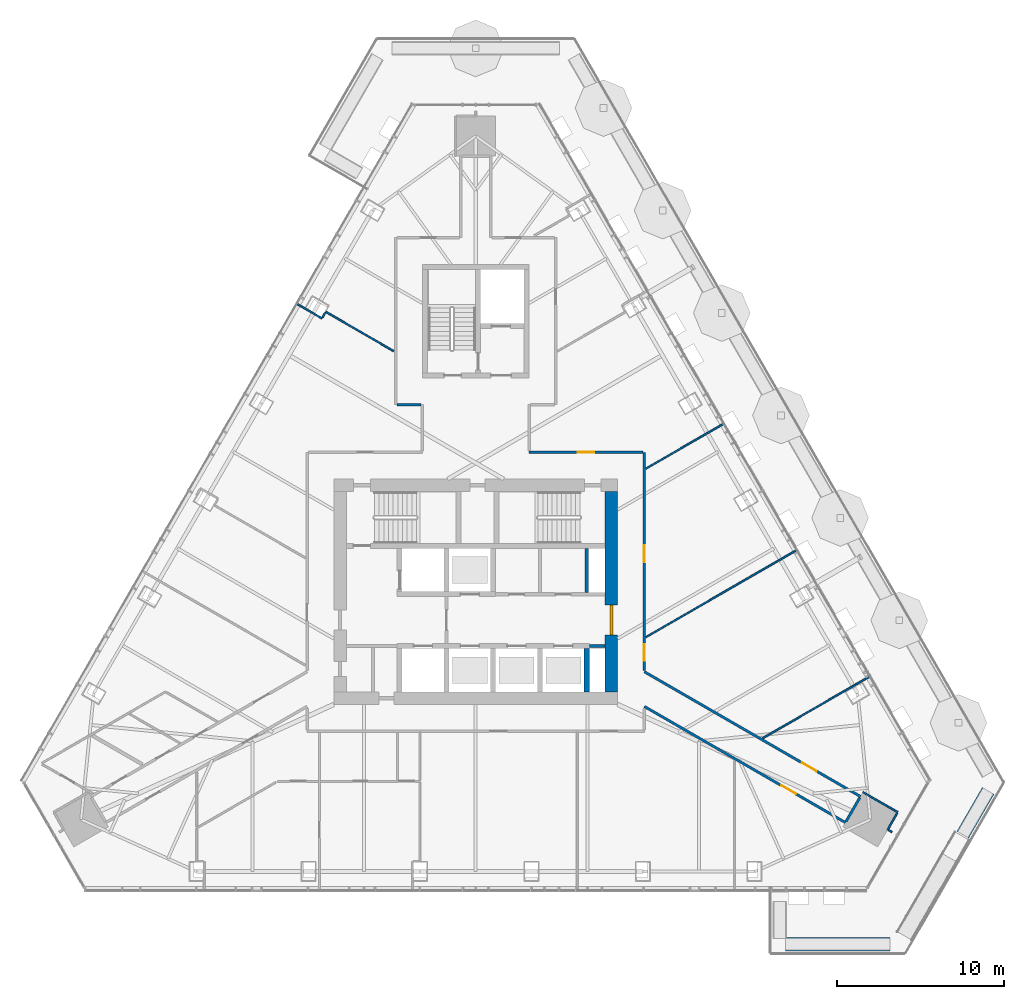
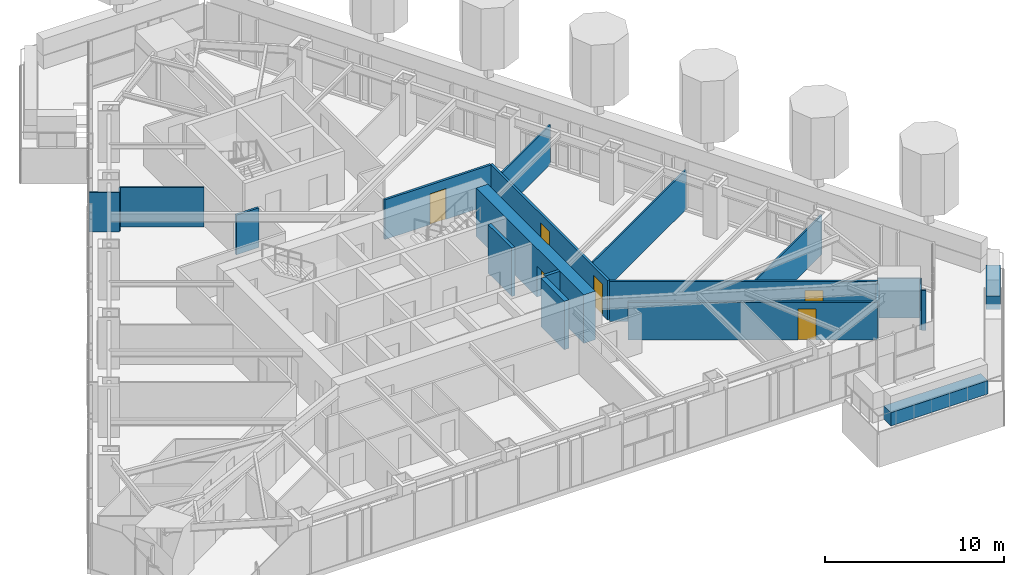
# One storey, part 19 of 24: 21 walls, 6 doors, 6 openings.
"""IFC4 building model written with IfcOpenShell, lengths in metres."""

from ifc_helpers import new_model, si_unit, direction, frame, frame_2d, origin, place, context, subcontext, project, spatial, rectangle, extrude, material, layer, layer_set, type_object, element, fill, save


model = new_model("IFC4")

# Units and contexts
model_context = context("Model", 3, precision=1e-05, world=origin(), true_north=direction((0.0, 1.0)))
body_context = subcontext(model_context, "Body", "Model", "MODEL_VIEW")
ifc_project = project(units=[si_unit("LENGTHUNIT", "METRE"), si_unit("AREAUNIT", "SQUARE_METRE"), si_unit("VOLUMEUNIT", "CUBIC_METRE"), si_unit("PLANEANGLEUNIT", "RADIAN"), si_unit("MASSUNIT", "GRAM", prefix="KILO")], contexts=[model_context])

# Site, building, storey
site_placement = place(None, origin())
site = spatial("IfcSite", under=ifc_project, at=site_placement, CompositionType="ELEMENT")
building_placement = place(site_placement, origin())
building = spatial("IfcBuilding", under=site, at=building_placement, Name="Firuza Gate Tower and Library", CompositionType="ELEMENT")
storey_placement = place(building_placement, frame((0.0, 0.0, 267.10009765625)))
storey = spatial("IfcBuildingStorey", under=building, at=storey_placement, Name="L63", CompositionType="ELEMENT", Elevation=267.10009765625)

# Walls
ifc_material_1 = material(Name="Plasterboard on steel studs", Category="steel")
ifc_layer_1 = layer(ifc_material_1, 0.199951171875)
ifc_layer_set_1 = layer_set([ifc_layer_1], Name="Core partition 200 EI 120")
wall_type_1 = type_object("IfcWallType", Name="Core partition 200 EI 120", PredefinedType="PARTITIONING", material=ifc_layer_set_1)
wall_1_placement = place(storey_placement, frame((81.800048828125, 71.75, 0.0), z_axis=(0.0, 0.0, 1.0), x_axis=(1.0, 0.0, 0.0)))
element("IfcWall", 1, at=wall_1_placement, inside=storey, type_object=wall_type_1, Name="Core partition L63 2", PredefinedType="PARTITIONING", context=body_context, shape_type="SweptSolid", body=[
    extrude(rectangle(XDim=0.949951171875, YDim=0.199951171875, at=frame_2d((0.47509765625, 0.0))), origin(), (0.0, 0.0, 1.0), 3.2998046875),
])
wall_2_placement = place(storey_placement, frame((81.64990234375, 74.949951171875, 0.0), z_axis=(0.0, 0.0, 1.0), x_axis=(0.0, 1.0, 0.0)))
element("IfcWall", 2, at=wall_2_placement, inside=storey, type_object=wall_type_1, Name="Core partition L63 7", PredefinedType="PARTITIONING", context=body_context, shape_type="SweptSolid", body=[
    extrude(rectangle(XDim=2.650146484375, YDim=0.199951171875, at=frame_2d((1.3251953125, 0.0))), origin(), (0.0, 0.0, 1.0), 3.2998046875),
])
ifc_material_2 = material(Name="Concrete C60/75", Category="concrete")
ifc_layer_2 = layer(ifc_material_2, 0.300048828125)
ifc_layer_set_2 = layer_set([ifc_layer_2], Name="Core wall 300 C60/75")
wall_type_2 = type_object("IfcWallType", Name="Core wall 300 C60/75", PredefinedType="SHEAR", material=ifc_layer_set_2)
wall_3_placement = place(storey_placement, frame((81.64990234375, 69.0, 0.0), z_axis=(0.0, 0.0, 1.0), x_axis=(0.0, 1.0, 0.0)))
element("IfcWall", 3, at=wall_3_placement, inside=storey, type_object=wall_type_2, Name="Core wall L63 14", PredefinedType="SHEAR", context=body_context, shape_type="SweptSolid", body=[
    extrude(rectangle(XDim=2.60009765625, YDim=0.300048828125, at=frame_2d((1.300048828125, 0.0))), origin(), (0.0, 0.0, 1.0), 3.2998046875),
])

# Wall, opening, door
ifc_material_3 = material(Name="Concrete C60/75", Category="concrete")
ifc_layer_3 = layer(ifc_material_3, 0.75)
ifc_layer_set_3 = layer_set([ifc_layer_3], Name="Core wall 750 C60/75")
wall_type_3 = type_object("IfcWallType", Name="Core wall 750 C60/75", PredefinedType="SHEAR", material=ifc_layer_set_3)
wall_4_placement = place(storey_placement, frame((83.125, 69.0, 0.0), z_axis=(0.0, 0.0, 1.0), x_axis=(0.0, 1.0, 0.0)))
wall_4 = element("IfcWall", 4, at=wall_4_placement, inside=storey, type_object=wall_type_3, Name="Core wall L63 4", PredefinedType="SHEAR", context=body_context, shape_type="SweptSolid", body=[
    extrude(rectangle(XDim=12.0, YDim=0.75, at=frame_2d((6.0, 0.0))), origin(), (0.0, 0.0, 1.0), 3.2998046875),
])
opening_1_placement = place(wall_4_placement, frame((3.39990234375, 0.0, 0.0)))
opening_1 = element("IfcOpeningElement", 5, at=opening_1_placement, cuts=wall_4, Name="Opening L63-K16", PredefinedType="OPENING", context=body_context, shape_type="SweptSolid", body=[
    extrude(rectangle(XDim=1.800048828125, YDim=2.10009765625, at=frame_2d((0.89990234375, 1.050048828125))), frame((0.0, 0.385009765625, 0.0), z_axis=(0.0, -1.0, 0.0), x_axis=(1.0, 0.0, 0.0)), (0.0, 0.0, 1.0), 0.77001953125),
])
ifc_material_4 = material(Name="Steel", Category="steel")
door_type_1 = type_object("IfcDoorType", Name="Fire door 1800x2100 FD30S", OperationType="NOTDEFINED", PredefinedType="DOOR", material=ifc_material_4)
door_1_placement = place(opening_1_placement, origin())
door_1 = element("IfcDoor", 6, at=door_1_placement, inside=storey, type_object=door_type_1, Name="Door L63-K16", OperationType="SINGLE_SWING_LEFT", OverallHeight=2.10009765625, OverallWidth=1.800048828125, PredefinedType="DOOR", context=body_context, shape_type="SweptSolid", body=[
    extrude(rectangle(XDim=1.800048828125, YDim=2.10009765625, at=frame_2d((0.89990234375, 1.050048828125))), frame((0.0, 0.094970703125, 0.0), z_axis=(0.0, -1.0, 0.0), x_axis=(1.0, 0.0, 0.0)), (0.0, 0.0, 1.0), 0.18994140625),
])
fill(opening_1, door_1)

ifc_material_5 = material(Name="Gypsum board partition")
ifc_layer_4 = layer(ifc_material_5, 0.14990234375)
ifc_layer_set_4 = layer_set([ifc_layer_4], Name="Corridor wall 150 double board on steel studs")
wall_type_4 = type_object("IfcWallType", Name="Corridor wall 150 double board on steel studs", PredefinedType="PARTITIONING", material=ifc_layer_set_4)
wall_5_placement = place(storey_placement, frame((78.199951171875, 83.35009765625, 0.0), z_axis=(0.0, 0.0, 1.0), x_axis=(1.0, 0.0, 0.0)))
wall_5 = element("IfcWall", 7, at=wall_5_placement, inside=storey, type_object=wall_type_4, Name="f:L63:w005", PredefinedType="PARTITIONING", context=body_context, shape_type="SweptSolid", body=[
    extrude(rectangle(XDim=6.824462890625, YDim=0.14990234375, at=frame_2d((3.412109375, 0.0))), origin(), (0.0, 0.0, 1.0), 2.699951171875),
])
opening_2_placement = place(wall_5_placement, frame((2.912353515625, 0.0, 0.0)))
opening_2 = element("IfcOpeningElement", 8, at=opening_2_placement, cuts=wall_5, Name="Opening L63-05", PredefinedType="OPENING", context=body_context, shape_type="SweptSolid", body=[
    extrude(rectangle(XDim=1.0, YDim=2.10009765625, at=frame_2d((0.5, 1.050048828125))), frame((0.0, 0.0849609375, 0.0), z_axis=(0.0, -1.0, 0.0), x_axis=(1.0, 0.0, 0.0)), (0.0, 0.0, 1.0), 0.169921875),
])
ifc_material_6 = material(Name="Steel door and timber leaf", Category="steel")
door_type_2 = type_object("IfcDoorType", Name="Fire door 1000 x 2100 steel frame, timber leaf", OperationType="NOTDEFINED", PredefinedType="DOOR", material=ifc_material_6)
door_2_placement = place(opening_2_placement, origin())
door_2 = element("IfcDoor", 9, at=door_2_placement, inside=storey, type_object=door_type_2, Name="f:L63:d005", OperationType="SINGLE_SWING_LEFT", OverallHeight=2.10009765625, OverallWidth=1.0, PredefinedType="DOOR", context=body_context, shape_type="SweptSolid", body=[
    extrude(rectangle(XDim=1.0, YDim=2.10009765625, at=frame_2d((0.5, 1.050048828125))), frame((0.0, 0.02490234375, 0.0), z_axis=(0.0, -1.0, 0.0), x_axis=(1.0, 0.0, 0.0)), (0.0, 0.0, 1.0), 0.050048828125),
])
fill(opening_2, door_2)

# Walls
wall_6_placement = place(storey_placement, frame((70.277099609375, 86.199951171875, 0.0), z_axis=(0.0, 0.0, 1.0), x_axis=(1.0, 0.0, 0.0)))
element("IfcWall", 10, at=wall_6_placement, inside=storey, type_object=wall_type_4, Name="f:L63:w006", PredefinedType="PARTITIONING", context=body_context, shape_type="SweptSolid", body=[
    extrude(rectangle(XDim=1.44775390625, YDim=0.14990234375, at=frame_2d((0.723876953125, 0.0))), origin(), (0.0, 0.0, 1.0), 2.699951171875),
])
wall_7_placement = place(storey_placement, frame((97.178955078125, 61.242919921875, 0.0), z_axis=(0.0, 0.0, 1.0), x_axis=(0.499988108725, 0.866032269107, 0.0)))
element("IfcWall", 11, at=wall_7_placement, inside=storey, type_object=wall_type_4, Name="f:L63:w026", PredefinedType="PARTITIONING", context=body_context, shape_type="SweptSolid", body=[
    extrude(rectangle(XDim=1.64404296875, YDim=0.14990234375, at=frame_2d((0.822021484375, 0.0))), origin(), (0.0, 0.0, 1.0), 2.546875),
])

# Wall, openings, doors
wall_8_placement = place(storey_placement, frame((85.10009765625, 83.349609375, 0.0), z_axis=(0.0, 0.0, 1.0), x_axis=(0.0, -1.0, 0.0)))
wall_8 = element("IfcWall", 12, at=wall_8_placement, inside=storey, type_object=wall_type_4, Name="f:L63:w032", PredefinedType="PARTITIONING", context=body_context, shape_type="SweptSolid", body=[
    extrude(rectangle(XDim=13.054931640625, YDim=0.14990234375, at=frame_2d((6.52734375, 0.0))), origin(), (0.0, 0.0, 1.0), 2.699951171875),
])
opening_3_placement = place(wall_8_placement, frame((5.57861328125, 0.0, 0.0)))
opening_3 = element("IfcOpeningElement", 13, at=opening_3_placement, cuts=wall_8, Name="Opening L63-14", PredefinedType="OPENING", context=body_context, shape_type="SweptSolid", body=[
    extrude(rectangle(XDim=1.0, YDim=2.10009765625, at=frame_2d((0.5, 1.050048828125))), frame((0.0, 0.0849609375, 0.0), z_axis=(0.0, -1.0, 0.0), x_axis=(1.0, 0.0, 0.0)), (0.0, 0.0, 1.0), 0.169921875),
])
opening_4_placement = place(wall_8_placement, frame((11.48779296875, 0.0, 0.0)))
opening_4 = element("IfcOpeningElement", 14, at=opening_4_placement, cuts=wall_8, Name="Opening L63-15", PredefinedType="OPENING", context=body_context, shape_type="SweptSolid", body=[
    extrude(rectangle(XDim=1.0, YDim=2.10009765625, at=frame_2d((0.5, 1.050048828125))), frame((0.0, 0.0849609375, 0.0), z_axis=(0.0, -1.0, 0.0), x_axis=(1.0, 0.0, 0.0)), (0.0, 0.0, 1.0), 0.169921875),
])
door_3_placement = place(opening_3_placement, origin())
door_3 = element("IfcDoor", 15, at=door_3_placement, inside=storey, type_object=door_type_2, Name="f:L63:d014", OperationType="SINGLE_SWING_LEFT", OverallHeight=2.10009765625, OverallWidth=1.0, PredefinedType="DOOR", context=body_context, shape_type="SweptSolid", body=[
    extrude(rectangle(XDim=1.0, YDim=2.10009765625, at=frame_2d((0.5, 1.050048828125))), frame((0.0, 0.02490234375, 0.0), z_axis=(0.0, -1.0, 0.0), x_axis=(1.0, 0.0, 0.0)), (0.0, 0.0, 1.0), 0.050048828125),
])
fill(opening_3, door_3)
door_4_placement = place(opening_4_placement, origin())
door_4 = element("IfcDoor", 16, at=door_4_placement, inside=storey, type_object=door_type_2, Name="f:L63:d015", OperationType="SINGLE_SWING_RIGHT", OverallHeight=2.10009765625, OverallWidth=1.0, PredefinedType="DOOR", context=body_context, shape_type="SweptSolid", body=[
    extrude(rectangle(XDim=1.0, YDim=2.10009765625, at=frame_2d((0.5, 1.050048828125))), frame((0.0, 0.02490234375, 0.0), z_axis=(0.0, -1.0, 0.0), x_axis=(1.0, 0.0, 0.0)), (0.0, 0.0, 1.0), 0.050048828125),
])
fill(opening_4, door_4)

# Wall, opening, door
wall_9_placement = place(storey_placement, frame((85.10009765625, 70.2080078125, 0.0), z_axis=(0.0, 0.0, 1.0), x_axis=(0.866022614424, -0.500004831283, 0.0)))
wall_9 = element("IfcWall", 17, at=wall_9_placement, inside=storey, type_object=wall_type_4, Name="f:L63:w057", PredefinedType="PARTITIONING", context=body_context, shape_type="SweptSolid", body=[
    extrude(rectangle(XDim=14.943115234375, YDim=0.14990234375, at=frame_2d((7.4716796875, 0.0))), origin(), (0.0, 0.0, 1.0), 2.699951171875),
])
opening_5_placement = place(wall_9_placement, frame((10.906494140625, 0.0, 0.0)))
opening_5 = element("IfcOpeningElement", 18, at=opening_5_placement, cuts=wall_9, Name="Opening L63-19", PredefinedType="OPENING", context=body_context, shape_type="SweptSolid", body=[
    extrude(rectangle(XDim=1.0, YDim=2.10009765625, at=frame_2d((0.5, 1.050048828125))), frame((0.0, 0.0849609375, 0.0), z_axis=(0.0, -1.0, 0.0), x_axis=(1.0, 0.0, 0.0)), (0.0, 0.0, 1.0), 0.169921875),
])
door_5_placement = place(opening_5_placement, origin())
door_5 = element("IfcDoor", 19, at=door_5_placement, inside=storey, type_object=door_type_2, Name="f:L63:d019", OperationType="SINGLE_SWING_LEFT", OverallHeight=2.10009765625, OverallWidth=1.0, PredefinedType="DOOR", context=body_context, shape_type="SweptSolid", body=[
    extrude(rectangle(XDim=1.0, YDim=2.10009765625, at=frame_2d((0.5, 1.050048828125))), frame((0.0, 0.02490234375, 0.0), z_axis=(0.0, -1.0, 0.0), x_axis=(1.0, 0.0, 0.0)), (0.0, 0.0, 1.0), 0.050048828125),
])
fill(opening_5, door_5)

wall_10_placement = place(storey_placement, frame((97.140869140625, 61.177734375, 0.0), z_axis=(0.0, 0.0, 1.0), x_axis=(-0.866020369651, 0.500008719273, 0.0)))
wall_10 = element("IfcWall", 20, at=wall_10_placement, inside=storey, type_object=wall_type_4, Name="f:L63:w059", PredefinedType="PARTITIONING", context=body_context, shape_type="SweptSolid", body=[
    extrude(rectangle(XDim=13.903564453125, YDim=0.14990234375, at=frame_2d((6.95166015625, 0.0))), origin(), (0.0, 0.0, 1.0), 2.546875),
])
opening_6_placement = place(wall_10_placement, frame((3.43212890625, 0.0, 0.0)))
opening_6 = element("IfcOpeningElement", 21, at=opening_6_placement, cuts=wall_10, Name="Opening L63-20", PredefinedType="OPENING", context=body_context, shape_type="SweptSolid", body=[
    extrude(rectangle(XDim=1.0, YDim=2.10009765625, at=frame_2d((0.5, 1.050048828125))), frame((0.0, 0.0849609375, 0.0), z_axis=(0.0, -1.0, 0.0), x_axis=(1.0, 0.0, 0.0)), (0.0, 0.0, 1.0), 0.169921875),
])
door_6_placement = place(opening_6_placement, origin())
door_6 = element("IfcDoor", 22, at=door_6_placement, inside=storey, type_object=door_type_2, Name="f:L63:d020", OperationType="SINGLE_SWING_LEFT", OverallHeight=2.10009765625, OverallWidth=1.0, PredefinedType="DOOR", context=body_context, shape_type="SweptSolid", body=[
    extrude(rectangle(XDim=1.0, YDim=2.10009765625, at=frame_2d((0.5, 1.050048828125))), frame((0.0, 0.02490234375, 0.0), z_axis=(0.0, -1.0, 0.0), x_axis=(1.0, 0.0, 0.0)), (0.0, 0.0, 1.0), 0.050048828125),
])
fill(opening_6, door_6)

# Walls
ifc_material_7 = material(Name="Gypsum board partition")
ifc_layer_5 = layer(ifc_material_7, 0.10009765625)
ifc_layer_set_5 = layer_set([ifc_layer_5], Name="Partition 100 gypsum board on steel studs")
wall_type_5 = type_object("IfcWallType", Name="Partition 100 gypsum board on steel studs", PredefinedType="PARTITIONING", material=ifc_layer_set_5)
wall_11_placement = place(storey_placement, frame((92.19189453125, 66.230224609375, 0.0), z_axis=(0.0, 0.0, 1.0), x_axis=(0.866026984066, 0.499997262862, 0.0)))
element("IfcWall", 23, at=wall_11_placement, inside=storey, type_object=wall_type_5, Name="f:L63:w012", PredefinedType="PARTITIONING", context=body_context, shape_type="SweptSolid", body=[
    extrude(rectangle(XDim=7.35693359375, YDim=0.10009765625, at=frame_2d((3.678466796875, 0.0))), origin(), (0.0, 0.0, 1.0), 2.68798828125),
])
wall_12_placement = place(storey_placement, frame((85.201171875, 72.28369140625, 0.0), z_axis=(0.0, 0.0, 1.0), x_axis=(0.866018018137, 0.500012792098, 0.0)))
element("IfcWall", 24, at=wall_12_placement, inside=storey, type_object=wall_type_5, Name="f:L63:w013", PredefinedType="PARTITIONING", context=body_context, shape_type="SweptSolid", body=[
    extrude(rectangle(XDim=10.384521484375, YDim=0.10009765625, at=frame_2d((5.1923828125, 0.0))), origin(), (0.0, 0.0, 1.0), 2.68798828125),
])
wall_13_placement = place(storey_placement, frame((85.20068359375, 82.37451171875, 0.0), z_axis=(0.0, 0.0, 1.0), x_axis=(0.866025682925, 0.499999516514, 0.0)))
element("IfcWall", 25, at=wall_13_placement, inside=storey, type_object=wall_type_5, Name="f:L63:w019", PredefinedType="PARTITIONING", context=body_context, shape_type="SweptSolid", body=[
    extrude(rectangle(XDim=5.33935546875, YDim=0.10009765625, at=frame_2d((2.669677734375, 0.0))), origin(), (0.0, 0.0, 1.0), 2.68798828125),
])
wall_14_placement = place(storey_placement, frame((99.669677734375, 60.757080078125, 0.0), z_axis=(0.0, 0.0, 1.0), x_axis=(0.500022773673, 0.866012254999, 0.0)))
element("IfcWall", 26, at=wall_14_placement, inside=storey, type_object=wall_type_5, Name="f:L63:w025", PredefinedType="PARTITIONING", context=body_context, shape_type="SweptSolid", body=[
    extrude(rectangle(XDim=1.1494140625, YDim=0.10009765625, at=frame_2d((0.57470703125, 0.0))), origin(), (0.0, 0.0, 1.0), 2.699951171875),
])
wall_15_placement = place(storey_placement, frame((65.817138671875, 91.416748046875, 0.0), z_axis=(0.0, 0.0, 1.0), x_axis=(0.499985493453, 0.866033778982, 0.0)))
element("IfcWall", 27, at=wall_15_placement, inside=storey, type_object=wall_type_5, Name="f:L63:w028", PredefinedType="PARTITIONING", context=body_context, shape_type="SweptSolid", body=[
    extrude(rectangle(XDim=0.34814453125, YDim=0.10009765625, at=frame_2d((0.174072265625, 0.0))), origin(), (0.0, 0.0, 1.0), 2.699951171875),
])
wall_16_placement = place(storey_placement, frame((70.09912109375, 89.404296875, 0.0), z_axis=(0.0, 0.0, 1.0), x_axis=(-0.866026044032, 0.499998891056, 0.0)))
element("IfcWall", 28, at=wall_16_placement, inside=storey, type_object=wall_type_5, Name="f:L63:w054", PredefinedType="PARTITIONING", context=body_context, shape_type="SweptSolid", body=[
    extrude(rectangle(XDim=4.71435546875, YDim=0.10009765625, at=frame_2d((2.357177734375, 0.0))), origin(), (0.0, 0.0, 1.0), 2.699951171875),
])
wall_17_placement = place(storey_placement, frame((65.789794921875, 91.372802734375, 0.0), z_axis=(0.0, 0.0, 1.0), x_axis=(-0.866085039529, 0.499896693632, 0.0)))
element("IfcWall", 29, at=wall_17_placement, inside=storey, type_object=wall_type_5, Name="f:L63:w055", PredefinedType="PARTITIONING", context=body_context, shape_type="SweptSolid", body=[
    extrude(rectangle(XDim=1.697998046875, YDim=0.10009765625, at=frame_2d((0.84912109375, 0.0))), origin(), (0.0, 0.0, 1.0), 2.68798828125),
])
wall_18_placement = place(storey_placement, frame((100.269287109375, 61.79638671875, 0.0), z_axis=(0.0, 0.0, 1.0), x_axis=(-0.865992388649, 0.500057179532, 0.0)))
element("IfcWall", 30, at=wall_18_placement, inside=storey, type_object=wall_type_5, Name="f:L63:w056", PredefinedType="PARTITIONING", context=body_context, shape_type="SweptSolid", body=[
    extrude(rectangle(XDim=2.399169921875, YDim=0.10009765625, at=frame_2d((1.19970703125, 0.0))), origin(), (0.0, 0.0, 1.0), 2.699951171875),
])
wall_19_placement = place(storey_placement, frame((99.929443359375, 60.60693359375, 0.0), z_axis=(0.0, 0.0, 1.0), x_axis=(-0.865827443207, 0.500342721131, 0.0)))
element("IfcWall", 31, at=wall_19_placement, inside=storey, type_object=wall_type_5, Name="f:L63:w058", PredefinedType="PARTITIONING", context=body_context, shape_type="SweptSolid", body=[
    extrude(rectangle(XDim=0.249755859375, YDim=0.10009765625, at=frame_2d((0.125, 0.0))), origin(), (0.0, 0.0, 1.0), 2.699951171875),
])
ifc_material_8 = material(Name="Concrete C40/50", Category="concrete")
ifc_layer_6 = layer(ifc_material_8, 0.800048828125)
ifc_layer_set_6 = layer_set([ifc_layer_6], Name="Planter wall 800")
wall_type_6 = type_object("IfcWallType", Name="Planter wall 800", PredefinedType="SOLIDWALL", material=ifc_layer_set_6)
wall_20_placement = place(storey_placement, frame((93.560791015625, 53.88916015625, 0.0), z_axis=(0.0, 0.0, 1.0), x_axis=(1.0, 0.0, 0.0)))
element("IfcWall", 32, at=wall_20_placement, inside=storey, type_object=wall_type_6, Name="PLANTER L63 2", PredefinedType="SOLIDWALL", context=body_context, shape_type="SweptSolid", body=[
    extrude(rectangle(XDim=6.238037109375, YDim=0.800048828125, at=frame_2d((3.119140625, 0.0))), origin(), (0.0, 0.0, 1.0), 0.89990234375),
])
wall_21_placement = place(storey_placement, frame((104.17236328125, 60.455810546875, 0.0), z_axis=(0.0, 0.0, 1.0), x_axis=(0.500009459589, 0.866019942219, 0.0)))
element("IfcWall", 33, at=wall_21_placement, inside=storey, type_object=wall_type_6, Name="PLANTER L63 3", PredefinedType="SOLIDWALL", context=body_context, shape_type="SweptSolid", body=[
    extrude(rectangle(XDim=3.01904296875, YDim=0.800048828125, at=frame_2d((1.509521484375, 0.0))), origin(), (0.0, 0.0, 1.0), 0.89990234375),
])

save(model, "model.ifc")
